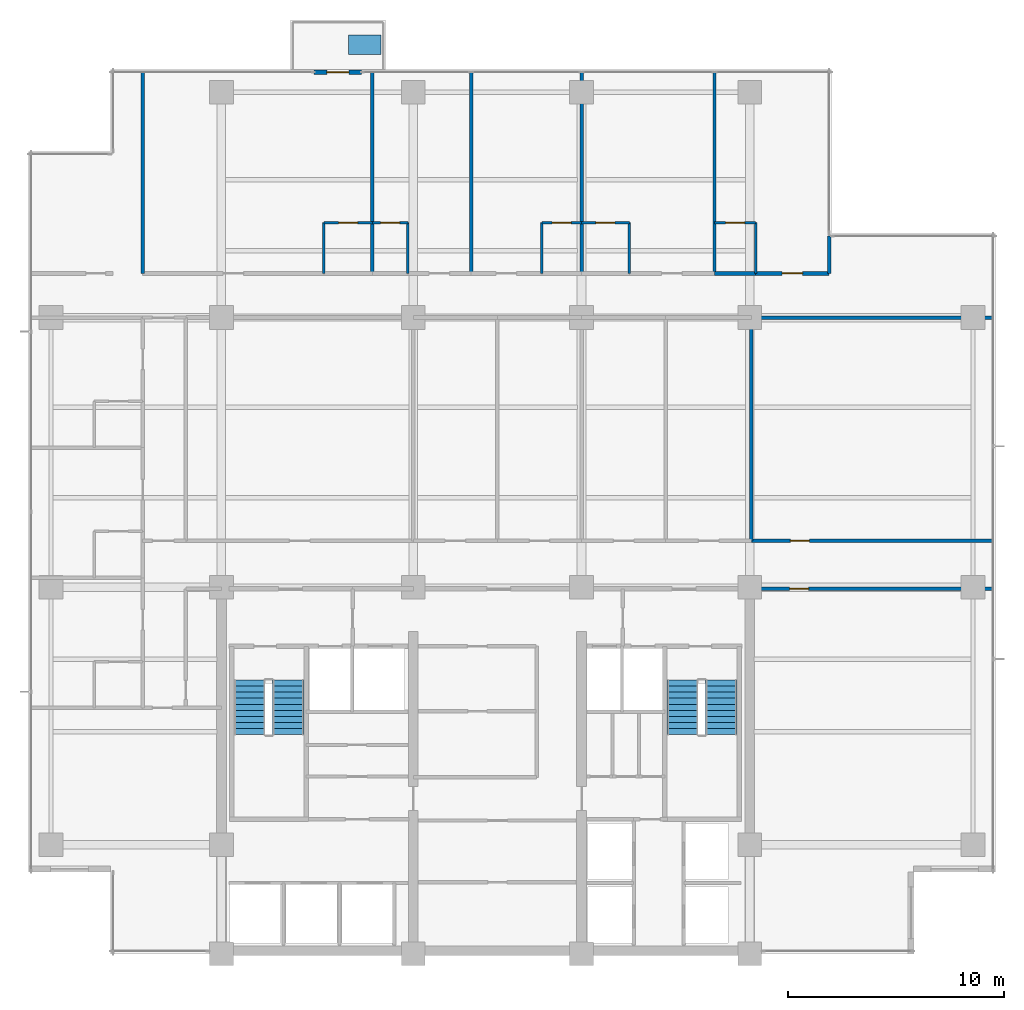
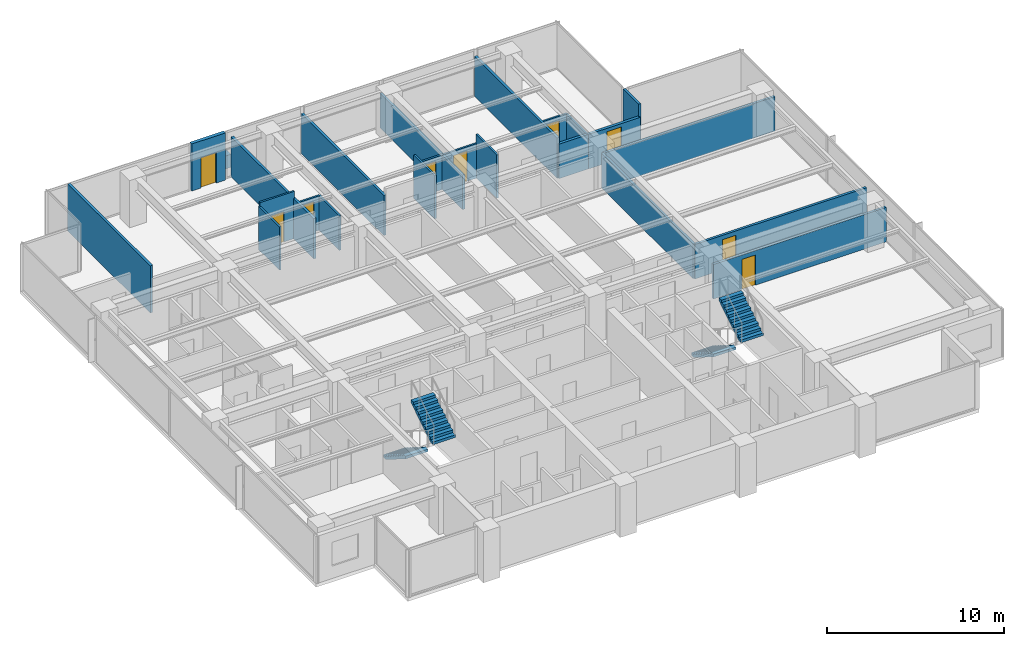
# One storey, part 10 of 14: 23 walls, 9 doors, 4 stair flights, 1 discrete accessory, 9 openings, 2 elements without a shape of their own.
"""IFC4 building model written with IfcOpenShell, lengths in metres."""

import ifcopenshell
import ifcopenshell.guid

model = None  # the IFC model being written
_history = None  # IfcOwnerHistory: only IFC2X3 demands one
_inside = {}  # id of a spatial element -> (the spatial element, [elements in it])
_under = {}  # id of a project, library or spatial element -> (it, [spatial elements below it])
_declared = {}  # id of a project -> (the project, [libraries it declares])
_typed = {}  # id of a type object -> (the type object, [elements of that type])
_made_of = {}  # id of a material, layer set ... -> (it, [elements and type objects made of it])


def new_model(schema):
    """Start an empty IFC model of exactly this schema.

    Asked for "IFC4X3", IfcOpenShell would pick the latest addendum, in which some entities
    have other attributes; the version numbers below select the first issue.
    IFC2X3 requires an IfcOwnerHistory on every rooted entity: one is made here for all.
    """
    global model, _history
    if schema == "IFC4X3":
        model = ifcopenshell.file(schema_version=(4, 3, 0, 0))
    else:
        model = ifcopenshell.file(schema=schema)
    _inside.clear()
    _under.clear()
    _declared.clear()
    _typed.clear()
    _made_of.clear()
    _history = None
    if model.schema == "IFC2X3":
        org = make("IfcOrganization", Name="unknown")
        user = make(
            "IfcPersonAndOrganization",
            ThePerson=make("IfcPerson", FamilyName="unknown"),
            TheOrganization=org,
        )
        app = make(
            "IfcApplication",
            ApplicationDeveloper=org,
            Version="unknown",
            ApplicationFullName="unknown",
            ApplicationIdentifier="unknown",
        )
        _history = make(
            "IfcOwnerHistory",
            OwningUser=user,
            OwningApplication=app,
            ChangeAction="ADDED",
            CreationDate=0,
        )
    return model


def make(cls, **values):
    """One entity of the class cls with the attributes given. An attribute that is None is left unset."""
    return model.create_entity(
        cls, **{name: value for name, value in values.items() if value is not None}
    )


def rooted(cls, **values):
    """An entity with a GlobalId (a new one), such as an element, a storey or a relation."""
    return make(cls, GlobalId=ifcopenshell.guid.new(), OwnerHistory=_history, **values)


def si_unit(unit_type, name, prefix=None):
    """IfcSIUnit, for example si_unit("LENGTHUNIT", "METRE", prefix="MILLI")."""
    return make("IfcSIUnit", UnitType=unit_type, Prefix=prefix, Name=name)


def assignment(units):
    """IfcUnitAssignment: the units of a project."""
    return None if units is None else make("IfcUnitAssignment", Units=units)


def point(xyz):
    """IfcCartesianPoint."""
    return None if xyz is None else make("IfcCartesianPoint", Coordinates=xyz)


def direction(xyz):
    """IfcDirection."""
    return None if xyz is None else make("IfcDirection", DirectionRatios=xyz)


def frame(location, z_axis=None, x_axis=None):
    """IfcAxis2Placement3D, a coordinate frame: its origin and axes. An axis left out is left unset."""
    return make(
        "IfcAxis2Placement3D",
        Location=point(location),
        Axis=direction(z_axis),
        RefDirection=direction(x_axis),
    )


def frame_2d(location, x_axis=None):
    """IfcAxis2Placement2D, a coordinate frame in the plane: its origin and x axis."""
    return make(
        "IfcAxis2Placement2D", Location=point(location), RefDirection=direction(x_axis)
    )


def origin():
    """The frame at (0, 0, 0) with its axes left unset."""
    return frame((0.0, 0.0, 0.0))


def place(relative_to, where):
    """IfcLocalPlacement: puts the frame where relative to a parent placement (None: the world)."""
    return make(
        "IfcLocalPlacement", PlacementRelTo=relative_to, RelativePlacement=where
    )


def context(
    kind, dimensions, precision=None, world=None, true_north=None, identifier=None
):
    """IfcGeometricRepresentationContext, for example the 3D "Model" context."""
    return make(
        "IfcGeometricRepresentationContext",
        ContextIdentifier=identifier,
        ContextType=kind,
        CoordinateSpaceDimension=dimensions,
        Precision=precision,
        WorldCoordinateSystem=world,
        TrueNorth=true_north,
    )


def subcontext(parent, identifier, kind, view, scale=None):
    """IfcGeometricRepresentationSubContext, for example "Body" below "Model"."""
    return make(
        "IfcGeometricRepresentationSubContext",
        ContextIdentifier=identifier,
        ContextType=kind,
        ParentContext=parent,
        TargetScale=scale,
        TargetView=view,
    )


def project(units=None, contexts=None):
    """IfcProject with its units and contexts."""
    return rooted(
        "IfcProject",
        Name="project",
        RepresentationContexts=contexts,
        UnitsInContext=assignment(units),
    )


def spatial(cls, under=None, at=None, **own):
    """A site, building, storey or space (cls), placed at a placement, below another one or the project."""
    s = rooted(cls, ObjectPlacement=at, **own)
    if under is not None:
        _under.setdefault(under.id(), (under, []))[1].append(s)
    return s


def polyline(points):
    """IfcPolyline through the points."""
    return make("IfcPolyline", Points=[point(p) for p in points])


def profile(cls, at=None, kind="AREA", **sizes):
    """A parametric profile (cls). Its sizes go by their IFC names, for example OverallWidth=200.0."""
    return make(cls, ProfileType=kind, Position=at, **sizes)


def rectangle(**sizes):
    """IfcRectangleProfileDef."""
    return profile("IfcRectangleProfileDef", **sizes)


def outline(outer, holes=None, kind="AREA"):
    """IfcArbitraryClosedProfileDef: a profile drawn as a closed curve; with holes, ...WithVoids."""
    if holes is None:
        return make("IfcArbitraryClosedProfileDef", ProfileType=kind, OuterCurve=outer)
    return make(
        "IfcArbitraryProfileDefWithVoids",
        ProfileType=kind,
        OuterCurve=outer,
        InnerCurves=holes,
    )


def extrude(swept, where, along, depth):
    """IfcExtrudedAreaSolid: the profile swept, set in the frame where, extruded along a direction by depth."""
    return make(
        "IfcExtrudedAreaSolid",
        SweptArea=swept,
        Position=where,
        ExtrudedDirection=direction(along),
        Depth=depth,
    )


def shape(context_of_items, identifier, shape_type, items):
    """IfcShapeRepresentation: the items that make up one representation, for example the "Body"."""
    return make(
        "IfcShapeRepresentation",
        ContextOfItems=context_of_items,
        RepresentationIdentifier=identifier,
        RepresentationType=shape_type,
        Items=items,
    )


def material(Name=None, Category=None):
    """IfcMaterial."""
    return make("IfcMaterial", Name=Name, Category=Category)


def layer(
    of_material, thickness, ventilated=None, Name=None, Category=None, Priority=None
):
    """IfcMaterialLayer: one layer of a wall or slab, of a material (None: an air gap)."""
    return make(
        "IfcMaterialLayer",
        Material=of_material,
        LayerThickness=thickness,
        IsVentilated=ventilated,
        Name=Name,
        Category=Category,
        Priority=Priority,
    )


def layer_set(layers, Name=None):
    """IfcMaterialLayerSet."""
    return make("IfcMaterialLayerSet", MaterialLayers=layers, LayerSetName=Name)


def made_of(thing, what):
    """Note that an element or type object is made of a material, layer set ...; save() writes the relation."""
    if what is not None:
        _made_of.setdefault(what.id(), (what, []))[1].append(thing)
    return thing


def type_object(cls, material=None, **own):
    """A type object (cls), such as IfcWallType, which elements share."""
    return made_of(rooted(cls, **own), material)


def element(
    cls,
    number,
    at=None,
    inside=None,
    cuts=None,
    type_object=None,
    material=None,
    context=None,
    identifier="Body",
    shape_type=None,
    held_by="IfcProductDefinitionShape",
    body=None,
    shapes=None,
    **own,
):
    """One element of the class cls, such as IfcWall. Its Tag is "e" and its number.

    at: its placement. inside: the storey or other place that contains it. cuts: it is an
    opening in that element (IfcRelVoidsElement). A single representation is given by context,
    identifier, shape_type and body (its items); several are given by shapes. held_by: the class
    of the entity that holds the representations. save() writes the other relations.
    """
    e = rooted(cls, Tag="e%d" % number, ObjectPlacement=at, **own)
    if body is not None:
        shapes = [shape(context, identifier, shape_type, body)]
    if shapes is not None:
        e.Representation = make(held_by, Representations=shapes)
    if inside is not None:
        _inside.setdefault(inside.id(), (inside, []))[1].append(e)
    if cuts is not None:
        rooted(
            "IfcRelVoidsElement", RelatingBuildingElement=cuts, RelatedOpeningElement=e
        )
    if type_object is not None:
        _typed.setdefault(type_object.id(), (type_object, []))[1].append(e)
    return made_of(e, material)


def fill(opening, filler):
    """IfcRelFillsElement: the door or window that sits in an opening."""
    return rooted(
        "IfcRelFillsElement",
        RelatingOpeningElement=opening,
        RelatedBuildingElement=filler,
    )


def aggregate(whole, parts):
    """IfcRelAggregates: a whole, such as a stair, and the parts it consists of."""
    return rooted("IfcRelAggregates", RelatingObject=whole, RelatedObjects=parts)


def save(model, path):
    """Write the relations noted so far, then the file.

    IfcRelAggregates (storeys below a building ...), IfcRelContainedInSpatialStructure (elements
    in a storey), IfcRelDefinesByType, IfcRelAssociatesMaterial and IfcRelDeclares: one each for
    every whole, place, type object, material and project.
    """
    for whole, parts in _under.values():
        aggregate(whole, parts)
    for where, things in _inside.values():
        rooted(
            "IfcRelContainedInSpatialStructure",
            RelatedElements=things,
            RelatingStructure=where,
        )
    for kind, things in _typed.values():
        rooted("IfcRelDefinesByType", RelatedObjects=things, RelatingType=kind)
    for what, things in _made_of.values():
        rooted("IfcRelAssociatesMaterial", RelatedObjects=things, RelatingMaterial=what)
    for by, libraries in _declared.values():
        rooted("IfcRelDeclares", RelatingContext=by, RelatedDefinitions=libraries)
    model.write(path)


model = new_model("IFC4")

# Units and contexts
model_context = context("Model", 3, precision=1e-05, world=origin(), true_north=direction((0.0, 1.0)))
body_context = subcontext(model_context, "Body", "Model", "MODEL_VIEW")
ifc_project = project(units=[si_unit("LENGTHUNIT", "METRE"), si_unit("AREAUNIT", "SQUARE_METRE"), si_unit("VOLUMEUNIT", "CUBIC_METRE"), si_unit("PLANEANGLEUNIT", "RADIAN"), si_unit("MASSUNIT", "GRAM", prefix="KILO")], contexts=[model_context])

# Site, building, storey
site_placement = place(None, origin())
site = spatial("IfcSite", under=ifc_project, at=site_placement, CompositionType="ELEMENT")
building_placement = place(site_placement, origin())
building = spatial("IfcBuilding", under=site, at=building_placement, Name="Qalmaran Belvedere Hotel", CompositionType="ELEMENT")
storey_placement = place(building_placement, frame((0.0, 0.0, 152.60009765625)))
storey = spatial("IfcBuildingStorey", under=building, at=storey_placement, Name="L38", CompositionType="ELEMENT", Elevation=152.60009765625)

# Wall, opening, door
ifc_material_1 = material(Name="Anodised Bronze Cladding")
ifc_layer_1 = layer(ifc_material_1, 0.22509765625, Name="Anodised Bronze Cladding")
ifc_layer_set_1 = layer_set([ifc_layer_1], Name="Anodised Bronze Cladding")
wall_type_1 = type_object("IfcWallType", Name="WL-BAL-PORT-225", PredefinedType="SOLIDWALL", material=ifc_layer_set_1)
wall_1_placement = place(storey_placement, frame((24.60009765625, 44.3798828125, 0.0), z_axis=(0.0, 0.0, 1.0), x_axis=(1.0, 0.0, 0.0)))
wall_1 = element("IfcWall", 1, at=wall_1_placement, inside=storey, type_object=wall_type_1, Name="L38 Tree Balcony Door Portal", PredefinedType="SOLIDWALL", context=body_context, shape_type="SweptSolid", body=[
    extrude(rectangle(XDim=2.199951171875, YDim=0.22509765625, at=frame_2d((1.10009765625, 0.0))), origin(), (0.0, 0.0, 1.0), 3.25),
])
opening_1_placement = place(wall_1_placement, frame((0.590087890625, 0.0, 0.0)))
opening_1 = element("IfcOpeningElement", 2, at=opening_1_placement, cuts=wall_1, Name="Opening BL-102", PredefinedType="OPENING", context=body_context, shape_type="SweptSolid", body=[
    extrude(rectangle(XDim=1.02001953125, YDim=2.10009765625, at=frame_2d((0.510009765625, 1.050048828125))), frame((0.0, 0.12255859375, 0.0), z_axis=(0.0, -1.0, 0.0), x_axis=(1.0, 0.0, 0.0)), (0.0, 0.0, 1.0), 0.2451171875),
])
ifc_material_2 = material(Name="Anodised Bronze Aluminium", Category="aluminium")
door_type_1 = type_object("IfcDoorType", Name="DR-BAL-1020X2100", OperationType="NOTDEFINED", PredefinedType="DOOR", material=ifc_material_2)
door_1_placement = place(opening_1_placement, origin())
door_1 = element("IfcDoor", 3, at=door_1_placement, inside=storey, type_object=door_type_1, Name="L38 Planted Tree Balcony Door", OperationType="SINGLE_SWING_LEFT", OverallHeight=2.10009765625, OverallWidth=1.02001953125, PredefinedType="DOOR", context=body_context, shape_type="SweptSolid", body=[
    extrude(rectangle(XDim=1.02001953125, YDim=2.10009765625, at=frame_2d((0.510009765625, 1.050048828125))), frame((0.0, 0.02490234375, 0.0), z_axis=(0.0, -1.0, 0.0), x_axis=(1.0, 0.0, 0.0)), (0.0, 0.0, 1.0), 0.050048828125),
])
fill(opening_1, door_1)

ifc_material_3 = material(Name="Moisture-Resistant Gypsum")
ifc_layer_2 = layer(ifc_material_3, 0.1201171875, Name="Moisture-Resistant Gypsum")
ifc_layer_set_2 = layer_set([ifc_layer_2], Name="Moisture-Resistant Gypsum")
wall_type_2 = type_object("IfcWallType", Name="WL-INT-120-BATH", PredefinedType="PARTITIONING", material=ifc_layer_set_2)
wall_2_placement = place(storey_placement, frame((25.050048828125, 37.39990234375, 0.0), z_axis=(0.0, 0.0, 1.0), x_axis=(1.0, 0.0, 0.0)))
wall_2 = element("IfcWall", 4, at=wall_2_placement, inside=storey, type_object=wall_type_2, Name="L38 Partition WL-L38-NBN00", PredefinedType="PARTITIONING", context=body_context, shape_type="SweptSolid", body=[
    extrude(rectangle(XDim=2.25, YDim=0.1201171875, at=frame_2d((1.125, 0.0))), origin(), (0.0, 0.0, 1.0), 3.25),
])
opening_2_placement = place(wall_2_placement, frame((1.56494140625, 0.0, 0.0), z_axis=(0.0, 0.0, 1.0), x_axis=(-1.0, 0.0, 0.0)))
opening_2 = element("IfcOpeningElement", 5, at=opening_2_placement, cuts=wall_2, Name="Opening D-BATH", PredefinedType="OPENING", context=body_context, shape_type="SweptSolid", body=[
    extrude(rectangle(XDim=0.8798828125, YDim=2.080078125, at=frame_2d((0.43994140625, 1.0400390625))), frame((0.0, 0.070068359375, 0.0), z_axis=(0.0, -1.0, 0.0), x_axis=(1.0, 0.0, 0.0)), (0.0, 0.0, 1.0), 0.14013671875),
])
ifc_material_4 = material(Name="Engineered Oak Veneer")
door_type_2 = type_object("IfcDoorType", Name="DR-INT-BATH-880X2080", OperationType="NOTDEFINED", PredefinedType="DOOR", material=ifc_material_4)
door_2_placement = place(opening_2_placement, origin())
door_2 = element("IfcDoor", 6, at=door_2_placement, inside=storey, type_object=door_type_2, Name="L38 Ensuite Bathroom Door N01", OperationType="SINGLE_SWING_RIGHT", OverallHeight=2.080078125, OverallWidth=0.8798828125, PredefinedType="DOOR", context=body_context, shape_type="SweptSolid", body=[
    extrude(rectangle(XDim=0.8798828125, YDim=2.080078125, at=frame_2d((0.43994140625, 1.0400390625))), frame((0.0, 0.02490234375, 0.0), z_axis=(0.0, -1.0, 0.0), x_axis=(1.0, 0.0, 0.0)), (0.0, 0.0, 1.0), 0.050048828125),
])
fill(opening_2, door_2)

# Wall
wall_3_placement = place(storey_placement, frame((25.050048828125, 35.050048828125, 0.0), z_axis=(0.0, 0.0, 1.0), x_axis=(0.0, 1.0, 0.0)))
element("IfcWall", 7, at=wall_3_placement, inside=storey, type_object=wall_type_2, Name="L38 Partition WL-L38-NBS00", PredefinedType="PARTITIONING", context=body_context, shape_type="SweptSolid", body=[
    extrude(rectangle(XDim=2.349853515625, YDim=0.1201171875, at=frame_2d((1.1748046875, 0.0))), origin(), (0.0, 0.0, 1.0), 2.98779296875),
])

# Wall, opening, door
wall_4_placement = place(storey_placement, frame((27.300048828125, 37.39990234375, 0.0), z_axis=(0.0, 0.0, 1.0), x_axis=(1.0, 0.0, 0.0)))
wall_4 = element("IfcWall", 8, at=wall_4_placement, inside=storey, type_object=wall_type_2, Name="L38 Partition WL-L38-NBN01", PredefinedType="PARTITIONING", context=body_context, shape_type="SweptSolid", body=[
    extrude(rectangle(XDim=1.64990234375, YDim=0.1201171875, at=frame_2d((0.824951171875, 0.0))), origin(), (0.0, 0.0, 1.0), 2.3798828125),
])
opening_3_placement = place(wall_4_placement, frame((1.264892578125, 0.0, 0.0), z_axis=(0.0, 0.0, 1.0), x_axis=(-1.0, 0.0, 0.0)))
opening_3 = element("IfcOpeningElement", 9, at=opening_3_placement, cuts=wall_4, Name="Opening D-BATH", PredefinedType="OPENING", context=body_context, shape_type="SweptSolid", body=[
    extrude(rectangle(XDim=0.8798828125, YDim=2.080078125, at=frame_2d((0.43994140625, 1.0400390625))), frame((0.0, 0.070068359375, 0.0), z_axis=(0.0, -1.0, 0.0), x_axis=(1.0, 0.0, 0.0)), (0.0, 0.0, 1.0), 0.14013671875),
])
door_3_placement = place(opening_3_placement, origin())
door_3 = element("IfcDoor", 10, at=door_3_placement, inside=storey, type_object=door_type_2, Name="L38 Ensuite Bathroom Door N02", OperationType="SINGLE_SWING_RIGHT", OverallHeight=2.080078125, OverallWidth=0.8798828125, PredefinedType="DOOR", context=body_context, shape_type="SweptSolid", body=[
    extrude(rectangle(XDim=0.8798828125, YDim=2.080078125, at=frame_2d((0.43994140625, 1.0400390625))), frame((0.0, 0.02490234375, 0.0), z_axis=(0.0, -1.0, 0.0), x_axis=(1.0, 0.0, 0.0)), (0.0, 0.0, 1.0), 0.050048828125),
])
fill(opening_3, door_3)

# Wall
wall_5_placement = place(storey_placement, frame((28.949951171875, 35.050048828125, 0.0), z_axis=(0.0, 0.0, 1.0), x_axis=(0.0, 1.0, 0.0)))
element("IfcWall", 11, at=wall_5_placement, inside=storey, type_object=wall_type_2, Name="L38 Partition WL-L38-NBS01", PredefinedType="PARTITIONING", context=body_context, shape_type="SweptSolid", body=[
    extrude(rectangle(XDim=2.349853515625, YDim=0.1201171875, at=frame_2d((1.1748046875, 0.0))), origin(), (0.0, 0.0, 1.0), 2.3798828125),
])

# Wall, opening, door
wall_6_placement = place(storey_placement, frame((35.159912109375, 37.39990234375, 0.0), z_axis=(0.0, 0.0, 1.0), x_axis=(1.0, 0.0, 0.0)))
wall_6 = element("IfcWall", 12, at=wall_6_placement, inside=storey, type_object=wall_type_2, Name="L38 Partition WL-L38-NBN02", PredefinedType="PARTITIONING", context=body_context, shape_type="SweptSolid", body=[
    extrude(rectangle(XDim=1.840087890625, YDim=0.1201171875, at=frame_2d((0.919921875, 0.0))), origin(), (0.0, 0.0, 1.0), 2.3798828125),
])
opening_4_placement = place(wall_6_placement, frame((1.35986328125, 0.0, 0.0), z_axis=(0.0, 0.0, 1.0), x_axis=(-1.0, 0.0, 0.0)))
opening_4 = element("IfcOpeningElement", 13, at=opening_4_placement, cuts=wall_6, Name="Opening D-BATH", PredefinedType="OPENING", context=body_context, shape_type="SweptSolid", body=[
    extrude(rectangle(XDim=0.8798828125, YDim=2.080078125, at=frame_2d((0.43994140625, 1.0400390625))), frame((0.0, 0.070068359375, 0.0), z_axis=(0.0, -1.0, 0.0), x_axis=(1.0, 0.0, 0.0)), (0.0, 0.0, 1.0), 0.14013671875),
])
door_4_placement = place(opening_4_placement, origin())
door_4 = element("IfcDoor", 14, at=door_4_placement, inside=storey, type_object=door_type_2, Name="L38 Ensuite Bathroom Door N03", OperationType="SINGLE_SWING_RIGHT", OverallHeight=2.080078125, OverallWidth=0.8798828125, PredefinedType="DOOR", context=body_context, shape_type="SweptSolid", body=[
    extrude(rectangle(XDim=0.8798828125, YDim=2.080078125, at=frame_2d((0.43994140625, 1.0400390625))), frame((0.0, 0.02490234375, 0.0), z_axis=(0.0, -1.0, 0.0), x_axis=(1.0, 0.0, 0.0)), (0.0, 0.0, 1.0), 0.050048828125),
])
fill(opening_4, door_4)

# Wall
wall_7_placement = place(storey_placement, frame((35.159912109375, 35.050048828125, 0.0), z_axis=(0.0, 0.0, 1.0), x_axis=(0.0, 1.0, 0.0)))
element("IfcWall", 15, at=wall_7_placement, inside=storey, type_object=wall_type_2, Name="L38 Partition WL-L38-NBS02", PredefinedType="PARTITIONING", context=body_context, shape_type="SweptSolid", body=[
    extrude(rectangle(XDim=2.349853515625, YDim=0.1201171875, at=frame_2d((1.1748046875, 0.0))), origin(), (0.0, 0.0, 1.0), 2.98779296875),
])

# Wall, opening, door
wall_8_placement = place(storey_placement, frame((37.0, 37.39990234375, 0.0), z_axis=(0.0, 0.0, 1.0), x_axis=(1.0, 0.0, 0.0)))
wall_8 = element("IfcWall", 16, at=wall_8_placement, inside=storey, type_object=wall_type_2, Name="L38 Partition WL-L38-NBN03", PredefinedType="PARTITIONING", context=body_context, shape_type="SweptSolid", body=[
    extrude(rectangle(XDim=2.219970703125, YDim=0.1201171875, at=frame_2d((1.10986328125, 0.0))), origin(), (0.0, 0.0, 1.0), 2.3798828125),
])
opening_5_placement = place(wall_8_placement, frame((1.5498046875, 0.0, 0.0), z_axis=(0.0, 0.0, 1.0), x_axis=(-1.0, 0.0, 0.0)))
opening_5 = element("IfcOpeningElement", 17, at=opening_5_placement, cuts=wall_8, Name="Opening D-BATH", PredefinedType="OPENING", context=body_context, shape_type="SweptSolid", body=[
    extrude(rectangle(XDim=0.8798828125, YDim=2.080078125, at=frame_2d((0.43994140625, 1.0400390625))), frame((0.0, 0.070068359375, 0.0), z_axis=(0.0, -1.0, 0.0), x_axis=(1.0, 0.0, 0.0)), (0.0, 0.0, 1.0), 0.14013671875),
])
door_5_placement = place(opening_5_placement, origin())
door_5 = element("IfcDoor", 18, at=door_5_placement, inside=storey, type_object=door_type_2, Name="L38 Ensuite Bathroom Door N04", OperationType="SINGLE_SWING_RIGHT", OverallHeight=2.080078125, OverallWidth=0.8798828125, PredefinedType="DOOR", context=body_context, shape_type="SweptSolid", body=[
    extrude(rectangle(XDim=0.8798828125, YDim=2.080078125, at=frame_2d((0.43994140625, 1.0400390625))), frame((0.0, 0.02490234375, 0.0), z_axis=(0.0, -1.0, 0.0), x_axis=(1.0, 0.0, 0.0)), (0.0, 0.0, 1.0), 0.050048828125),
])
fill(opening_5, door_5)

# Wall
wall_9_placement = place(storey_placement, frame((39.219970703125, 35.050048828125, 0.0), z_axis=(0.0, 0.0, 1.0), x_axis=(0.0, 1.0, 0.0)))
element("IfcWall", 19, at=wall_9_placement, inside=storey, type_object=wall_type_2, Name="L38 Partition WL-L38-NBS03", PredefinedType="PARTITIONING", context=body_context, shape_type="SweptSolid", body=[
    extrude(rectangle(XDim=2.349853515625, YDim=0.1201171875, at=frame_2d((1.1748046875, 0.0))), origin(), (0.0, 0.0, 1.0), 2.98779296875),
])

# Wall, opening, door
wall_10_placement = place(storey_placement, frame((43.16650390625, 37.39990234375, 0.0), z_axis=(0.0, 0.0, 1.0), x_axis=(1.0, 0.0, 0.0)))
wall_10 = element("IfcWall", 20, at=wall_10_placement, inside=storey, type_object=wall_type_2, Name="L38 Partition WL-L38-NBN04", PredefinedType="PARTITIONING", context=body_context, shape_type="SweptSolid", body=[
    extrude(rectangle(XDim=1.909912109375, YDim=0.1201171875, at=frame_2d((0.955078125, 0.0))), origin(), (0.0, 0.0, 1.0), 2.3798828125),
])
opening_6_placement = place(wall_10_placement, frame((1.394775390625, 0.0, 0.0), z_axis=(0.0, 0.0, 1.0), x_axis=(-1.0, 0.0, 0.0)))
opening_6 = element("IfcOpeningElement", 21, at=opening_6_placement, cuts=wall_10, Name="Opening D-BATH", PredefinedType="OPENING", context=body_context, shape_type="SweptSolid", body=[
    extrude(rectangle(XDim=0.8798828125, YDim=2.080078125, at=frame_2d((0.43994140625, 1.0400390625))), frame((0.0, 0.070068359375, 0.0), z_axis=(0.0, -1.0, 0.0), x_axis=(1.0, 0.0, 0.0)), (0.0, 0.0, 1.0), 0.14013671875),
])
door_6_placement = place(opening_6_placement, origin())
door_6 = element("IfcDoor", 22, at=door_6_placement, inside=storey, type_object=door_type_2, Name="L38 Ensuite Bathroom Door N05", OperationType="SINGLE_SWING_RIGHT", OverallHeight=2.080078125, OverallWidth=0.8798828125, PredefinedType="DOOR", context=body_context, shape_type="SweptSolid", body=[
    extrude(rectangle(XDim=0.8798828125, YDim=2.080078125, at=frame_2d((0.43994140625, 1.0400390625))), frame((0.0, 0.02490234375, 0.0), z_axis=(0.0, -1.0, 0.0), x_axis=(1.0, 0.0, 0.0)), (0.0, 0.0, 1.0), 0.050048828125),
])
fill(opening_6, door_6)

# Wall
wall_11_placement = place(storey_placement, frame((45.076416015625, 35.050048828125, 0.0), z_axis=(0.0, 0.0, 1.0), x_axis=(0.0, 1.0, 0.0)))
element("IfcWall", 23, at=wall_11_placement, inside=storey, type_object=wall_type_2, Name="L38 Partition WL-L38-NBS04", PredefinedType="PARTITIONING", context=body_context, shape_type="SweptSolid", body=[
    extrude(rectangle(XDim=2.349853515625, YDim=0.1201171875, at=frame_2d((1.1748046875, 0.0))), origin(), (0.0, 0.0, 1.0), 2.3798828125),
])

# Wall, opening, door
ifc_material_5 = material(Name="Gypsum Stud Partition")
ifc_layer_3 = layer(ifc_material_5, 0.159912109375, Name="Gypsum Stud Partition")
ifc_layer_set_3 = layer_set([ifc_layer_3], Name="Gypsum Stud Partition")
wall_type_3 = type_object("IfcWallType", Name="WL-INT-160-EI60", PredefinedType="PARTITIONING", material=ifc_layer_set_3)
wall_12_placement = place(storey_placement, frame((44.800048828125, 20.419921875, 0.0), z_axis=(0.0, 0.0, 1.0), x_axis=(1.0, 0.0, 0.0)))
wall_12 = element("IfcWall", 24, at=wall_12_placement, inside=storey, type_object=wall_type_3, Name="L38 Partition WL-L38-ECE1S", PredefinedType="PARTITIONING", context=body_context, shape_type="SweptSolid", body=[
    extrude(rectangle(XDim=11.280029296875, YDim=0.159912109375, at=frame_2d((5.64013671875, 0.0))), origin(), (0.0, 0.0, 1.0), 2.3798828125),
])
opening_7_placement = place(wall_12_placement, frame((2.72998046875, 0.0, 0.0), z_axis=(0.0, 0.0, 1.0), x_axis=(-1.0, 0.0, 0.0)))
opening_7 = element("IfcOpeningElement", 25, at=opening_7_placement, cuts=wall_12, Name="Opening FD60B", PredefinedType="OPENING", context=body_context, shape_type="SweptSolid", body=[
    extrude(rectangle(XDim=0.8798828125, YDim=2.080078125, at=frame_2d((0.43994140625, 1.0400390625))), frame((0.0, 0.08984375, 0.0), z_axis=(0.0, -1.0, 0.0), x_axis=(1.0, 0.0, 0.0)), (0.0, 0.0, 1.0), 0.179931640625),
])
ifc_material_6 = material(Name="Steel S355JR", Category="steel")
door_type_3 = type_object("IfcDoorType", Name="DR-FD60B-880X2080", OperationType="NOTDEFINED", PredefinedType="DOOR", material=ifc_material_6)
door_7_placement = place(opening_7_placement, origin())
door_7 = element("IfcDoor", 26, at=door_7_placement, inside=storey, type_object=door_type_3, Name="L38 East Library Door", OperationType="SINGLE_SWING_LEFT", OverallHeight=2.080078125, OverallWidth=0.8798828125, PredefinedType="DOOR", context=body_context, shape_type="SweptSolid", body=[
    extrude(rectangle(XDim=0.8798828125, YDim=2.080078125, at=frame_2d((0.43994140625, 1.0400390625))), frame((0.0, 0.02490234375, 0.0), z_axis=(0.0, -1.0, 0.0), x_axis=(1.0, 0.0, 0.0)), (0.0, 0.0, 1.0), 0.050048828125),
])
fill(opening_7, door_7)

wall_13_placement = place(storey_placement, frame((44.8798828125, 22.64990234375, 0.0), z_axis=(0.0, 0.0, 1.0), x_axis=(1.0, 0.0, 0.0)))
wall_13 = element("IfcWall", 27, at=wall_13_placement, inside=storey, type_object=wall_type_3, Name="L38 Partition WL-L38-ECE2N", PredefinedType="PARTITIONING", context=body_context, shape_type="SweptSolid", body=[
    extrude(rectangle(XDim=11.2001953125, YDim=0.159912109375, at=frame_2d((5.60009765625, 0.0))), origin(), (0.0, 0.0, 1.0), 2.3798828125),
])
opening_8_placement = place(wall_13_placement, frame((1.800048828125, 0.0, 0.0)))
opening_8 = element("IfcOpeningElement", 28, at=opening_8_placement, cuts=wall_13, Name="Opening FD60B", PredefinedType="OPENING", context=body_context, shape_type="SweptSolid", body=[
    extrude(rectangle(XDim=0.8798828125, YDim=2.080078125, at=frame_2d((0.43994140625, 1.0400390625))), frame((0.0, 0.08984375, 0.0), z_axis=(0.0, -1.0, 0.0), x_axis=(1.0, 0.0, 0.0)), (0.0, 0.0, 1.0), 0.179931640625),
])
door_8_placement = place(opening_8_placement, origin())
door_8 = element("IfcDoor", 29, at=door_8_placement, inside=storey, type_object=door_type_3, Name="L38 East Fitness Door", OperationType="SINGLE_SWING_RIGHT", OverallHeight=2.080078125, OverallWidth=0.8798828125, PredefinedType="DOOR", context=body_context, shape_type="SweptSolid", body=[
    extrude(rectangle(XDim=0.8798828125, YDim=2.080078125, at=frame_2d((0.43994140625, 1.0400390625))), frame((0.0, 0.02490234375, 0.0), z_axis=(0.0, -1.0, 0.0), x_axis=(1.0, 0.0, 0.0)), (0.0, 0.0, 1.0), 0.050048828125),
])
fill(opening_8, door_8)

# Walls
wall_14_placement = place(storey_placement, frame((44.8798828125, 33.0, 0.0), z_axis=(0.0, 0.0, 1.0), x_axis=(1.0, 0.0, 0.0)))
element("IfcWall", 30, at=wall_14_placement, inside=storey, type_object=wall_type_3, Name="L38 Partition WL-L38-ECEN", PredefinedType="PARTITIONING", context=body_context, shape_type="SweptSolid", body=[
    extrude(rectangle(XDim=11.2001953125, YDim=0.159912109375, at=frame_2d((5.60009765625, 0.0))), origin(), (0.0, 0.0, 1.0), 2.3798828125),
])
wall_15_placement = place(storey_placement, frame((44.8798828125, 22.64990234375, 0.0), z_axis=(0.0, 0.0, 1.0), x_axis=(0.0, 1.0, 0.0)))
element("IfcWall", 31, at=wall_15_placement, inside=storey, type_object=wall_type_3, Name="L38 Partition WL-L38-MIDVR5", PredefinedType="PARTITIONING", context=body_context, shape_type="SweptSolid", body=[
    extrude(rectangle(XDim=10.35009765625, YDim=0.159912109375, at=frame_2d((5.175048828125, 0.0))), origin(), (0.0, 0.0, 1.0), 2.3798828125),
])
wall_16_placement = place(storey_placement, frame((16.64990234375, 35.050048828125, 0.0), z_axis=(0.0, 0.0, 1.0), x_axis=(0.0, 1.0, 0.0)))
element("IfcWall", 32, at=wall_16_placement, inside=storey, type_object=wall_type_3, Name="L38 Partition WL-L38-NUL", PredefinedType="PARTITIONING", context=body_context, shape_type="SweptSolid", body=[
    extrude(rectangle(XDim=9.329833984375, YDim=0.159912109375, at=frame_2d((4.6650390625, 0.0))), origin(), (0.0, 0.0, 1.0), 3.25),
])
for number, where, z_axis, x_axis, name in (
    (33, (27.300048828125, 35.050048828125, 0.0), (0.0, 0.0, 1.0), (0.0, 1.0, 0.0), "L38 Partition WL-L38-NUR00"),
    (34, (31.875, 35.050048828125, 0.0), (0.0, 0.0, 1.0), (0.0, 1.0, 0.0), "L38 Partition WL-L38-NUR01"),
):
    element("IfcWall", number, at=place(storey_placement, frame(where, z_axis=z_axis, x_axis=x_axis)), inside=storey, type_object=wall_type_3, Name=name, PredefinedType="PARTITIONING", context=body_context, shape_type="SweptSolid", body=[
        extrude(rectangle(XDim=9.329833984375, YDim=0.159912109375, at=frame_2d((4.6650390625, 0.0))), origin(), (0.0, 0.0, 1.0), 2.77197265625),
    ])
wall_17_placement = place(storey_placement, frame((37.0, 35.050048828125, 0.0), z_axis=(0.0, 0.0, 1.0), x_axis=(0.0, 1.0, 0.0)))
element("IfcWall", 35, at=wall_17_placement, inside=storey, type_object=wall_type_3, Name="L38 Partition WL-L38-NUR02", PredefinedType="PARTITIONING", context=body_context, shape_type="SweptSolid", body=[
    extrude(rectangle(XDim=9.329833984375, YDim=0.159912109375, at=frame_2d((4.6650390625, 0.0))), origin(), (0.0, 0.0, 1.0), 2.3798828125),
])
wall_18_placement = place(storey_placement, frame((43.16650390625, 35.050048828125, 0.0), z_axis=(0.0, 0.0, 1.0), x_axis=(0.0, 1.0, 0.0)))
element("IfcWall", 36, at=wall_18_placement, inside=storey, type_object=wall_type_3, Name="L38 Partition WL-L38-NUR03", PredefinedType="PARTITIONING", context=body_context, shape_type="SweptSolid", body=[
    extrude(rectangle(XDim=9.329833984375, YDim=0.159912109375, at=frame_2d((4.6650390625, 0.0))), origin(), (0.0, 0.0, 1.0), 2.77197265625),
])
wall_19_placement = place(storey_placement, frame((48.47998046875, 35.050048828125, 0.0), z_axis=(0.0, 0.0, 1.0), x_axis=(0.0, 1.0, 0.0)))
element("IfcWall", 37, at=wall_19_placement, inside=storey, type_object=wall_type_3, Name="L38 Partition WL-L38-NUR04", PredefinedType="PARTITIONING", context=body_context, shape_type="SweptSolid", body=[
    extrude(rectangle(XDim=1.72998046875, YDim=0.159912109375, at=frame_2d((0.864990234375, 0.0))), origin(), (0.0, 0.0, 1.0), 3.25),
])
ifc_layer_4 = layer(ifc_material_5, 0.179931640625, Name="Gypsum Stud Partition")
ifc_layer_set_4 = layer_set([ifc_layer_4], Name="Gypsum Stud Partition")
wall_type_4 = type_object("IfcWallType", Name="WL-INT-180-EI60", PredefinedType="PARTITIONING", material=ifc_layer_set_4)
wall_20_placement = place(storey_placement, frame((43.16650390625, 35.050048828125, 0.0), z_axis=(0.0, 0.0, 1.0), x_axis=(1.0, 0.0, 0.0)))
element("IfcWall", 38, at=wall_20_placement, inside=storey, type_object=wall_type_4, Name="L38 Partition WL-L38-NBC04", PredefinedType="PARTITIONING", context=body_context, shape_type="SweptSolid", body=[
    extrude(rectangle(XDim=1.909912109375, YDim=0.179931640625, at=frame_2d((0.955078125, 0.0))), origin(), (0.0, 0.0, 1.0), 2.3798828125),
])

# Wall, opening, door
wall_21_placement = place(storey_placement, frame((45.076416015625, 35.050048828125, 0.0), z_axis=(0.0, 0.0, 1.0), x_axis=(1.0, 0.0, 0.0)))
wall_21 = element("IfcWall", 39, at=wall_21_placement, inside=storey, type_object=wall_type_4, Name="L38 Partition WL-L38-NEC04", PredefinedType="PARTITIONING", context=body_context, shape_type="SweptSolid", body=[
    extrude(rectangle(XDim=3.403564453125, YDim=0.179931640625, at=frame_2d((1.70166015625, 0.0))), origin(), (0.0, 0.0, 1.0), 2.3798828125),
])
opening_9_placement = place(wall_21_placement, frame((1.226806640625, 0.0, 0.0)))
opening_9 = element("IfcOpeningElement", 40, at=opening_9_placement, cuts=wall_21, Name="Opening FD60", PredefinedType="OPENING", context=body_context, shape_type="SweptSolid", body=[
    extrude(rectangle(XDim=0.949951171875, YDim=2.14990234375, at=frame_2d((0.47509765625, 1.074951171875))), frame((0.0, 0.10009765625, 0.0), z_axis=(0.0, -1.0, 0.0), x_axis=(1.0, 0.0, 0.0)), (0.0, 0.0, 1.0), 0.199951171875),
])
door_type_4 = type_object("IfcDoorType", Name="DR-FD60-950X2150", OperationType="NOTDEFINED", PredefinedType="DOOR", material=ifc_material_4)
door_9_placement = place(opening_9_placement, origin())
door_9 = element("IfcDoor", 41, at=door_9_placement, inside=storey, type_object=door_type_4, Name="L38 Guest Entrance Door N05", OperationType="SINGLE_SWING_LEFT", OverallHeight=2.14990234375, OverallWidth=0.949951171875, PredefinedType="DOOR", context=body_context, shape_type="SweptSolid", body=[
    extrude(rectangle(XDim=0.949951171875, YDim=2.14990234375, at=frame_2d((0.47509765625, 1.074951171875))), frame((0.0, 0.02490234375, 0.0), z_axis=(0.0, -1.0, 0.0), x_axis=(1.0, 0.0, 0.0)), (0.0, 0.0, 1.0), 0.050048828125),
])
fill(opening_9, door_9)

# Stair, stair flights
ifc_material_7 = material(Name="Concrete C40/50", Category="concrete")
stair_type_1 = type_object("IfcStairType", Name="STR-ST-1-1450-R1750", PredefinedType="HALF_TURN_STAIR", material=ifc_material_7)
stair_1_placement = place(storey_placement, origin())
stair_1 = element("IfcStair", 42, at=stair_1_placement, inside=storey, type_object=stair_type_1, Name="L38 West Core Exit Stair ST-1", PredefinedType="HALF_TURN_STAIR")
ifc_layer_5 = layer(ifc_material_7, 0.14990234375, Name="Concrete C40/50")
ifc_layer_set_5 = layer_set([ifc_layer_5], Name="Concrete C40/50")
stair_flight_type_1 = type_object("IfcStairFlightType", Name="STF-ST-1-1450-R1750", PredefinedType="STRAIGHT", material=ifc_layer_set_5)
stair_flight_1_placement = place(storey_placement, frame((21.60498046875, 16.18994140625, 0.0), z_axis=(0.0, 0.0, 1.0), x_axis=(0.0, -1.0, 0.0)))
stair_flight_1 = element("IfcStairFlight", 43, at=stair_flight_1_placement, type_object=stair_flight_type_1, Name="ST-1 flight 1", NumberOfRisers=10, NumberOfTreads=9, PredefinedType="STRAIGHT", RiserHeight=0.175, TreadLength=0.28, context=body_context, shape_type="SweptSolid", body=[
    extrude(outline(polyline([(0.0, 0.0), (0.0, 0.175048828125), (0.280029296875, 0.175048828125), (0.280029296875, 0.35009765625), (0.56005859375, 0.35009765625), (0.56005859375, 0.52490234375), (0.840087890625, 0.52490234375), (0.840087890625, 0.699951171875), (1.1201171875, 0.699951171875), (1.1201171875, 0.875), (1.39990234375, 0.875), (1.39990234375, 1.050048828125), (1.679931640625, 1.050048828125), (1.679931640625, 1.22509765625), (1.9599609375, 1.22509765625), (1.9599609375, 1.39990234375), (2.239990234375, 1.39990234375), (2.239990234375, 1.574951171875), (2.52001953125, 1.574951171875), (2.52001953125, 1.75), (2.52001953125, 1.398193359375), (0.28271484375, 0.0), (0.0, 0.0)])), frame((0.0, 0.72509765625, 0.0), z_axis=(0.0, -1.0, 0.0), x_axis=(1.0, 0.0, 0.0)), (0.0, 0.0, 1.0), 1.449951171875),
])
stair_flight_2_placement = place(storey_placement, frame((23.39501953125, 13.669921875, 1.75), z_axis=(0.0, 0.0, 1.0), x_axis=(0.0, 1.0, 0.0)))
stair_flight_2 = element("IfcStairFlight", 44, at=stair_flight_2_placement, type_object=stair_flight_type_1, Name="ST-1 flight 2", NumberOfRisers=10, NumberOfTreads=9, PredefinedType="STRAIGHT", RiserHeight=0.175, TreadLength=0.28, context=body_context, shape_type="SweptSolid", body=[
    extrude(outline(polyline([(0.0, 0.0), (0.0, 0.175048828125), (0.280029296875, 0.175048828125), (0.280029296875, 0.35009765625), (0.56005859375, 0.35009765625), (0.56005859375, 0.52490234375), (0.840087890625, 0.52490234375), (0.840087890625, 0.699951171875), (1.1201171875, 0.699951171875), (1.1201171875, 0.875), (1.39990234375, 0.875), (1.39990234375, 1.050048828125), (1.679931640625, 1.050048828125), (1.679931640625, 1.22509765625), (1.9599609375, 1.22509765625), (1.9599609375, 1.39990234375), (2.239990234375, 1.39990234375), (2.239990234375, 1.574951171875), (2.52001953125, 1.574951171875), (2.52001953125, 1.75), (2.52001953125, 1.398193359375), (0.28271484375, 0.0), (0.0, 0.0)])), frame((0.0, 0.72509765625, 0.0), z_axis=(0.0, -1.0, 0.0), x_axis=(1.0, 0.0, 0.0)), (0.0, 0.0, 1.0), 1.449951171875),
])
aggregate(stair_1, [stair_flight_1, stair_flight_2])

stair_type_2 = type_object("IfcStairType", Name="STR-ST-2-1450-R1750", PredefinedType="HALF_TURN_STAIR", material=ifc_material_7)
stair_2_placement = place(storey_placement, origin())
stair_2 = element("IfcStair", 45, at=stair_2_placement, inside=storey, type_object=stair_type_2, Name="L38 East Core Exit Stair ST-2", PredefinedType="HALF_TURN_STAIR")
ifc_layer_6 = layer(ifc_material_7, 0.14990234375, Name="Concrete C40/50")
ifc_layer_set_6 = layer_set([ifc_layer_6], Name="Concrete C40/50")
stair_flight_type_2 = type_object("IfcStairFlightType", Name="STF-ST-2-1450-R1750", PredefinedType="STRAIGHT", material=ifc_layer_set_6)
stair_flight_3_placement = place(storey_placement, frame((41.68505859375, 16.18994140625, 0.0), z_axis=(0.0, 0.0, 1.0), x_axis=(0.0, -1.0, 0.0)))
stair_flight_3 = element("IfcStairFlight", 46, at=stair_flight_3_placement, type_object=stair_flight_type_2, Name="ST-2 flight 1", NumberOfRisers=10, NumberOfTreads=9, PredefinedType="STRAIGHT", RiserHeight=0.175, TreadLength=0.28, context=body_context, shape_type="SweptSolid", body=[
    extrude(outline(polyline([(0.0, 0.0), (0.0, 0.175048828125), (0.280029296875, 0.175048828125), (0.280029296875, 0.35009765625), (0.56005859375, 0.35009765625), (0.56005859375, 0.52490234375), (0.840087890625, 0.52490234375), (0.840087890625, 0.699951171875), (1.1201171875, 0.699951171875), (1.1201171875, 0.875), (1.39990234375, 0.875), (1.39990234375, 1.050048828125), (1.679931640625, 1.050048828125), (1.679931640625, 1.22509765625), (1.9599609375, 1.22509765625), (1.9599609375, 1.39990234375), (2.239990234375, 1.39990234375), (2.239990234375, 1.574951171875), (2.52001953125, 1.574951171875), (2.52001953125, 1.75), (2.52001953125, 1.398193359375), (0.28271484375, 0.0), (0.0, 0.0)])), frame((0.0, 0.72509765625, 0.0), z_axis=(0.0, -1.0, 0.0), x_axis=(1.0, 0.0, 0.0)), (0.0, 0.0, 1.0), 1.449951171875),
])
stair_flight_4_placement = place(storey_placement, frame((43.47509765625, 13.669921875, 1.75), z_axis=(0.0, 0.0, 1.0), x_axis=(0.0, 1.0, 0.0)))
stair_flight_4 = element("IfcStairFlight", 47, at=stair_flight_4_placement, type_object=stair_flight_type_2, Name="ST-2 flight 2", NumberOfRisers=10, NumberOfTreads=9, PredefinedType="STRAIGHT", RiserHeight=0.175, TreadLength=0.28, context=body_context, shape_type="SweptSolid", body=[
    extrude(outline(polyline([(0.0, 0.0), (0.0, 0.175048828125), (0.280029296875, 0.175048828125), (0.280029296875, 0.35009765625), (0.56005859375, 0.35009765625), (0.56005859375, 0.52490234375), (0.840087890625, 0.52490234375), (0.840087890625, 0.699951171875), (1.1201171875, 0.699951171875), (1.1201171875, 0.875), (1.39990234375, 0.875), (1.39990234375, 1.050048828125), (1.679931640625, 1.050048828125), (1.679931640625, 1.22509765625), (1.9599609375, 1.22509765625), (1.9599609375, 1.39990234375), (2.239990234375, 1.39990234375), (2.239990234375, 1.574951171875), (2.52001953125, 1.574951171875), (2.52001953125, 1.75), (2.52001953125, 1.398193359375), (0.28271484375, 0.0), (0.0, 0.0)])), frame((0.0, 0.72509765625, 0.0), z_axis=(0.0, -1.0, 0.0), x_axis=(1.0, 0.0, 0.0)), (0.0, 0.0, 1.0), 1.449951171875),
])
aggregate(stair_2, [stair_flight_3, stair_flight_4])

# Discrete accessory
discrete_accessory_type = type_object("IfcDiscreteAccessoryType", Name="PLN-BAL-1500", PredefinedType="USERDEFINED", material=ifc_material_7)
discrete_accessory_placement = place(storey_placement, origin())
element("IfcDiscreteAccessory", 48, at=discrete_accessory_placement, inside=storey, type_object=discrete_accessory_type, Name="L38 Sky Tree Planter", ObjectType="PLANTER", PredefinedType="USERDEFINED", context=body_context, shape_type="SweptSolid", body=[
    extrude(outline(polyline([(26.199951171875, 45.199951171875), (27.699951171875, 45.199951171875), (27.699951171875, 46.10009765625), (26.199951171875, 46.10009765625), (26.199951171875, 45.199951171875)])), origin(), (0.0, 0.0, 1.0), 0.89990234375),
])

save(model, "model.ifc")
